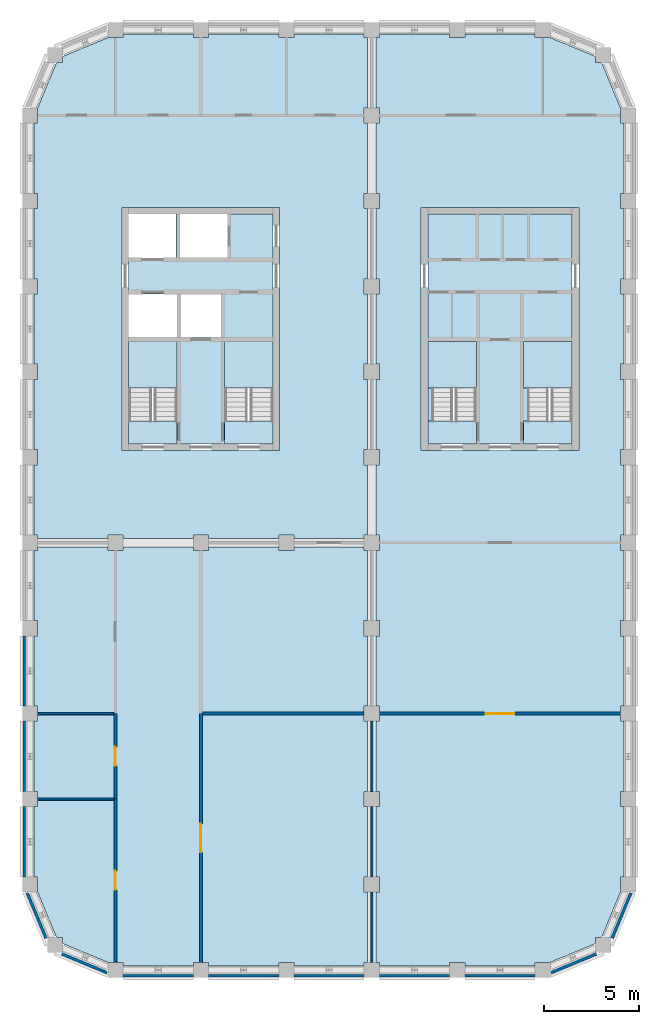
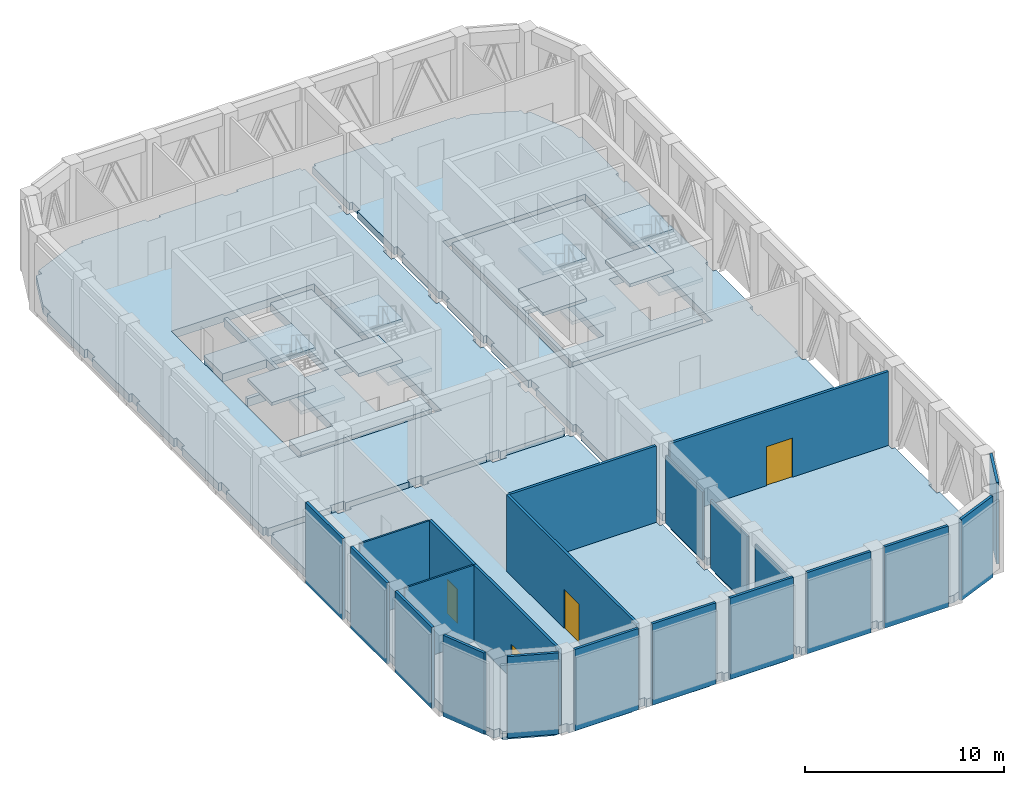
# One storey, part 2 of 7: 22 walls, 17 slabs, 4 doors, 4 openings, 4 elements without a shape of their own.
"""IFC4 building model written with IfcOpenShell, lengths in metres."""

from ifc_helpers import new_model, si_unit, direction, frame, frame_2d, origin, place, context, subcontext, project, spatial, polyline, rectangle, outline, extrude, material, layer, layer_set, type_object, element, fill, aggregate, save


model = new_model("IFC4")

# Units and contexts
model_context = context("Model", 3, precision=1e-05, world=origin(), true_north=direction((0.0, 1.0)))
body_context = subcontext(model_context, "Body", "Model", "MODEL_VIEW")
ifc_project = project(units=[si_unit("LENGTHUNIT", "METRE"), si_unit("AREAUNIT", "SQUARE_METRE"), si_unit("VOLUMEUNIT", "CUBIC_METRE"), si_unit("PLANEANGLEUNIT", "RADIAN"), si_unit("MASSUNIT", "GRAM", prefix="KILO")], contexts=[model_context])

# Site, building, storey
site_placement = place(None, origin())
site = spatial("IfcSite", under=ifc_project, at=site_placement, CompositionType="ELEMENT")
building_placement = place(site_placement, origin())
building = spatial("IfcBuilding", under=site, at=building_placement, Name="Girih Gate Residences", CompositionType="ELEMENT")
storey_placement = place(building_placement, frame((0.0, 0.0, 201.89990234375)))
storey = spatial("IfcBuildingStorey", under=building, at=storey_placement, Name="L56", CompositionType="ELEMENT", Elevation=201.89990234375)

# Slabs
ifc_material_1 = material(Name="Concrete C40/50", Category="concrete")
ifc_layer_1 = layer(ifc_material_1, 0.5)
ifc_layer_set_1 = layer_set([ifc_layer_1], Name="Core floor slab 500")
slab_type_1 = type_object("IfcSlabType", Name="Core floor slab 500", PredefinedType="FLOOR", material=ifc_layer_set_1)
slab_1_placement = place(storey_placement, frame((0.0, 0.0, -0.5)))
element("IfcSlab", 1, at=slab_1_placement, inside=storey, type_object=slab_type_1, Name="L56 W core floor", PredefinedType="FLOOR", context=body_context, shape_type="SweptSolid", body=[
    extrude(outline(polyline([(12.800048828125, 27.699951171875), (5.199951171875, 27.699951171875), (5.199951171875, 28.900634765625), (7.75, 28.900634765625), (7.75, 33.10009765625), (5.199951171875, 33.10009765625), (5.199951171875, 33.300048828125), (7.75, 33.300048828125), (7.75, 35.60009765625), (5.199951171875, 35.60009765625), (5.199951171875, 37.5), (7.699951171875, 37.5), (7.699951171875, 39.800048828125), (7.89990234375, 39.800048828125), (7.89990234375, 37.5), (10.39990234375, 37.5), (10.39990234375, 39.800048828125), (12.800048828125, 39.800048828125), (12.800048828125, 33.10009765625), (10.25, 33.10009765625), (10.25, 28.900634765625), (12.800048828125, 28.900634765625), (12.800048828125, 27.699951171875)]), holes=[polyline([(7.949951171875, 33.300048828125), (10.050048828125, 33.300048828125), (10.050048828125, 35.60009765625), (7.949951171875, 35.60009765625), (7.949951171875, 33.300048828125)])]), origin(), (0.0, 0.0, 1.0), 0.5),
])
slab_2_placement = place(storey_placement, frame((0.0, 0.0, -0.5)))
element("IfcSlab", 2, at=slab_2_placement, inside=storey, type_object=slab_type_1, Name="L56 C core floor", PredefinedType="FLOOR", context=body_context, shape_type="SweptSolid", body=[
    extrude(outline(polyline([(28.550048828125, 27.699951171875), (20.949951171875, 27.699951171875), (20.949951171875, 39.800048828125), (28.550048828125, 39.800048828125), (28.550048828125, 33.10009765625), (26.199951171875, 33.10009765625), (26.199951171875, 28.900634765625), (28.550048828125, 28.900634765625), (28.550048828125, 27.699951171875)]), holes=[polyline([(23.5, 28.900634765625), (23.5, 33.10009765625), (21.14990234375, 33.10009765625), (21.14990234375, 28.900634765625), (23.5, 28.900634765625)])]), origin(), (0.0, 0.0, 1.0), 0.5),
])
ifc_layer_2 = layer(ifc_material_1, 0.449951171875)
ifc_layer_set_2 = layer_set([ifc_layer_2], Name="Floor slab PT 450 Concrete C40/50")
slab_type_2 = type_object("IfcSlabType", Name="Floor slab PT 450 Concrete C40/50", PredefinedType="FLOOR", material=ifc_layer_set_2)
slab_3_placement = place(storey_placement, frame((0.0, 0.0, -0.449951171875)))
element("IfcSlab", 3, at=slab_3_placement, inside=storey, type_object=slab_type_2, Name="Floor slab L56 1", PredefinedType="FLOOR", context=body_context, shape_type="SweptSolid", body=[
    extrude(outline(polyline([(22.89990234375, 0.22509765625), (26.60009765625, 0.22509765625), (26.60009765625, 0.39990234375), (27.377685546875, 0.39990234375), (29.781982421875, 1.395751953125), (29.781982421875, 1.718017578125), (30.104248046875, 1.718017578125), (31.10009765625, 4.122314453125), (31.10009765625, 4.89990234375), (31.27490234375, 4.89990234375), (31.27490234375, 8.60009765625), (31.10009765625, 8.60009765625), (31.10009765625, 9.39990234375), (31.27490234375, 9.39990234375), (31.27490234375, 13.10009765625), (31.10009765625, 13.10009765625), (31.10009765625, 13.89990234375), (31.27490234375, 13.89990234375), (31.27490234375, 17.60009765625), (31.10009765625, 17.60009765625), (31.10009765625, 18.39990234375), (31.27490234375, 18.39990234375), (31.27490234375, 22.10009765625), (31.10009765625, 22.10009765625), (31.10009765625, 22.89990234375), (31.27490234375, 22.89990234375), (31.27490234375, 26.60009765625), (31.10009765625, 26.60009765625), (31.10009765625, 27.39990234375), (31.27490234375, 27.39990234375), (31.27490234375, 31.10009765625), (31.10009765625, 31.10009765625), (31.10009765625, 31.89990234375), (31.27490234375, 31.89990234375), (31.27490234375, 35.60009765625), (31.10009765625, 35.60009765625), (31.10009765625, 36.39990234375), (31.27490234375, 36.39990234375), (31.27490234375, 40.10009765625), (31.10009765625, 40.10009765625), (31.10009765625, 40.89990234375), (31.27490234375, 40.89990234375), (31.27490234375, 44.60009765625), (31.10009765625, 44.60009765625), (31.10009765625, 45.377685546875), (30.104248046875, 47.781982421875), (29.781982421875, 47.781982421875), (29.781982421875, 48.104248046875), (27.377685546875, 49.10009765625), (26.60009765625, 49.10009765625), (26.60009765625, 49.27490234375), (22.89990234375, 49.27490234375), (22.89990234375, 49.10009765625), (22.10009765625, 49.10009765625), (22.10009765625, 49.27490234375), (18.39990234375, 49.27490234375), (18.39990234375, 49.10009765625), (18.22509765625, 49.10009765625), (18.22509765625, 45.39990234375), (18.39990234375, 45.39990234375), (18.39990234375, 44.60009765625), (18.22509765625, 44.60009765625), (18.22509765625, 40.89990234375), (18.39990234375, 40.89990234375), (18.39990234375, 40.10009765625), (18.22509765625, 40.10009765625), (18.22509765625, 36.39990234375), (18.39990234375, 36.39990234375), (18.39990234375, 35.60009765625), (18.22509765625, 35.60009765625), (18.22509765625, 31.89990234375), (18.39990234375, 31.89990234375), (18.39990234375, 31.10009765625), (18.22509765625, 31.10009765625), (18.22509765625, 27.39990234375), (18.39990234375, 27.39990234375), (18.39990234375, 26.60009765625), (18.22509765625, 26.60009765625), (18.22509765625, 22.89990234375), (18.39990234375, 22.89990234375), (18.39990234375, 22.10009765625), (18.22509765625, 22.10009765625), (18.22509765625, 18.39990234375), (18.39990234375, 18.39990234375), (18.39990234375, 17.60009765625), (18.22509765625, 17.60009765625), (18.22509765625, 13.89990234375), (18.39990234375, 13.89990234375), (18.39990234375, 13.10009765625), (18.22509765625, 13.10009765625), (18.22509765625, 9.39990234375), (18.39990234375, 9.39990234375), (18.39990234375, 8.60009765625), (18.22509765625, 8.60009765625), (18.22509765625, 4.89990234375), (18.39990234375, 4.89990234375), (18.39990234375, 4.10009765625), (18.22509765625, 4.10009765625), (18.22509765625, 0.39990234375), (18.39990234375, 0.39990234375), (18.39990234375, 0.22509765625), (22.10009765625, 0.22509765625), (22.10009765625, 0.39990234375), (22.89990234375, 0.39990234375), (22.89990234375, 0.22509765625)]), holes=[polyline([(28.89990234375, 40.14990234375), (28.89990234375, 27.35009765625), (20.60009765625, 27.35009765625), (20.60009765625, 40.14990234375), (28.89990234375, 40.14990234375)])]), origin(), (0.0, 0.0, 1.0), 0.449951171875),
])
ifc_layer_3 = layer(ifc_material_1, 0.5)
ifc_layer_set_3 = layer_set([ifc_layer_3], Name="Floor slab PT 500 Concrete C40/50")
slab_type_3 = type_object("IfcSlabType", Name="Floor slab PT 500 Concrete C40/50", PredefinedType="FLOOR", material=ifc_layer_set_3)
slab_4_placement = place(storey_placement, frame((0.0, 0.0, -0.5)))
element("IfcSlab", 4, at=slab_4_placement, inside=storey, type_object=slab_type_3, Name="Floor slab L56 0", PredefinedType="FLOOR", context=body_context, shape_type="SweptSolid", body=[
    extrude(outline(polyline([(13.89990234375, 0.22509765625), (17.60009765625, 0.22509765625), (17.60009765625, 0.39990234375), (17.77490234375, 0.39990234375), (17.77490234375, 4.10009765625), (17.60009765625, 4.10009765625), (17.60009765625, 4.89990234375), (17.77490234375, 4.89990234375), (17.77490234375, 8.60009765625), (17.60009765625, 8.60009765625), (17.60009765625, 9.39990234375), (17.77490234375, 9.39990234375), (17.77490234375, 13.10009765625), (17.60009765625, 13.10009765625), (17.60009765625, 13.89990234375), (17.77490234375, 13.89990234375), (17.77490234375, 17.60009765625), (17.60009765625, 17.60009765625), (17.60009765625, 18.39990234375), (17.77490234375, 18.39990234375), (17.77490234375, 22.10009765625), (17.60009765625, 22.10009765625), (17.60009765625, 22.27490234375), (13.89990234375, 22.27490234375), (13.89990234375, 22.10009765625), (13.10009765625, 22.10009765625), (13.10009765625, 22.27490234375), (9.39990234375, 22.27490234375), (9.39990234375, 22.10009765625), (8.60009765625, 22.10009765625), (8.60009765625, 22.27490234375), (4.89990234375, 22.27490234375), (4.89990234375, 22.10009765625), (4.10009765625, 22.10009765625), (4.10009765625, 22.27490234375), (0.39990234375, 22.27490234375), (0.39990234375, 22.10009765625), (0.22509765625, 22.10009765625), (0.22509765625, 18.39990234375), (0.39990234375, 18.39990234375), (0.39990234375, 17.60009765625), (0.22509765625, 17.60009765625), (0.22509765625, 13.89990234375), (0.39990234375, 13.89990234375), (0.39990234375, 13.10009765625), (0.22509765625, 13.10009765625), (0.22509765625, 9.39990234375), (0.39990234375, 9.39990234375), (0.39990234375, 8.60009765625), (0.22509765625, 8.60009765625), (0.22509765625, 4.89990234375), (0.39990234375, 4.89990234375), (0.39990234375, 4.122314453125), (1.395751953125, 1.718017578125), (1.718017578125, 1.718017578125), (1.718017578125, 1.395751953125), (4.122314453125, 0.39990234375), (4.89990234375, 0.39990234375), (4.89990234375, 0.22509765625), (8.60009765625, 0.22509765625), (8.60009765625, 0.39990234375), (9.39990234375, 0.39990234375), (9.39990234375, 0.22509765625), (13.10009765625, 0.22509765625), (13.10009765625, 0.39990234375), (13.89990234375, 0.39990234375), (13.89990234375, 0.22509765625)])), origin(), (0.0, 0.0, 1.0), 0.5),
])
slab_5_placement = place(storey_placement, frame((0.0, 0.0, -0.5)))
element("IfcSlab", 5, at=slab_5_placement, inside=storey, type_object=slab_type_3, Name="Floor slab L56 2", PredefinedType="FLOOR", context=body_context, shape_type="SweptSolid", body=[
    extrude(outline(polyline([(0.22509765625, 26.60009765625), (0.22509765625, 22.89990234375), (0.39990234375, 22.89990234375), (0.39990234375, 22.72509765625), (4.10009765625, 22.72509765625), (4.10009765625, 22.89990234375), (4.89990234375, 22.89990234375), (4.89990234375, 22.72509765625), (8.60009765625, 22.72509765625), (8.60009765625, 22.89990234375), (9.39990234375, 22.89990234375), (9.39990234375, 22.72509765625), (13.10009765625, 22.72509765625), (13.10009765625, 22.89990234375), (13.89990234375, 22.89990234375), (13.89990234375, 22.72509765625), (17.60009765625, 22.72509765625), (17.60009765625, 22.89990234375), (17.77490234375, 22.89990234375), (17.77490234375, 26.60009765625), (17.60009765625, 26.60009765625), (17.60009765625, 27.39990234375), (17.77490234375, 27.39990234375), (17.77490234375, 31.10009765625), (17.60009765625, 31.10009765625), (17.60009765625, 31.89990234375), (17.77490234375, 31.89990234375), (17.77490234375, 35.60009765625), (17.60009765625, 35.60009765625), (17.60009765625, 36.39990234375), (17.77490234375, 36.39990234375), (17.77490234375, 40.10009765625), (17.60009765625, 40.10009765625), (17.60009765625, 40.89990234375), (17.77490234375, 40.89990234375), (17.77490234375, 44.60009765625), (17.60009765625, 44.60009765625), (17.60009765625, 45.39990234375), (17.77490234375, 45.39990234375), (17.77490234375, 49.10009765625), (17.60009765625, 49.10009765625), (17.60009765625, 49.27490234375), (13.89990234375, 49.27490234375), (13.89990234375, 49.10009765625), (13.10009765625, 49.10009765625), (13.10009765625, 49.27490234375), (9.39990234375, 49.27490234375), (9.39990234375, 49.10009765625), (8.60009765625, 49.10009765625), (8.60009765625, 49.27490234375), (4.89990234375, 49.27490234375), (4.89990234375, 49.10009765625), (4.122314453125, 49.10009765625), (1.718017578125, 48.104248046875), (1.718017578125, 47.781982421875), (1.395751953125, 47.781982421875), (0.39990234375, 45.377685546875), (0.39990234375, 44.60009765625), (0.22509765625, 44.60009765625), (0.22509765625, 40.89990234375), (0.39990234375, 40.89990234375), (0.39990234375, 40.10009765625), (0.22509765625, 40.10009765625), (0.22509765625, 36.39990234375), (0.39990234375, 36.39990234375), (0.39990234375, 35.60009765625), (0.22509765625, 35.60009765625), (0.22509765625, 31.89990234375), (0.39990234375, 31.89990234375), (0.39990234375, 31.10009765625), (0.22509765625, 31.10009765625), (0.22509765625, 27.39990234375), (0.39990234375, 27.39990234375), (0.39990234375, 26.60009765625), (0.22509765625, 26.60009765625)]), holes=[polyline([(13.14990234375, 40.14990234375), (13.14990234375, 27.35009765625), (4.85009765625, 27.35009765625), (4.85009765625, 40.14990234375), (13.14990234375, 40.14990234375)])]), origin(), (0.0, 0.0, 1.0), 0.5),
])

# Stair, slabs
stair_type_1 = type_object("IfcStairType", Name="Exit stair", PredefinedType="HALF_TURN_STAIR", material=ifc_material_1)
stair_1_placement = place(storey_placement, origin())
stair_1 = element("IfcStair", 6, at=stair_1_placement, inside=storey, type_object=stair_type_1, Name="L56 Exit Stair ST-W1", PredefinedType="HALF_TURN_STAIR")
ifc_layer_4 = layer(ifc_material_1, 0.199951171875)
ifc_layer_set_4 = layer_set([ifc_layer_4], Name="Stair landing 200")
slab_type_4 = type_object("IfcSlabType", Name="Stair landing 200", PredefinedType="LANDING", material=ifc_layer_set_4)
slab_6_placement = place(storey_placement, frame((0.0, 0.0, 1.048828125)))
slab_6 = element("IfcSlab", 7, at=slab_6_placement, type_object=slab_type_4, Name="ST-W1 landing 1", PredefinedType="LANDING", context=body_context, shape_type="SweptSolid", body=[
    extrude(outline(polyline([(7.75, 30.64990234375), (7.75, 33.10009765625), (5.199951171875, 33.10009765625), (5.199951171875, 30.64990234375), (7.75, 30.64990234375)])), origin(), (0.0, 0.0, 1.0), 0.199951171875),
])
slab_7_placement = place(storey_placement, frame((0.0, 0.0, 2.297607421875)))
slab_7 = element("IfcSlab", 8, at=slab_7_placement, type_object=slab_type_4, Name="ST-W1 landing 2", PredefinedType="LANDING", context=body_context, shape_type="SweptSolid", body=[
    extrude(outline(polyline([(7.75, 27.699951171875), (7.75, 28.89990234375), (5.199951171875, 28.89990234375), (5.199951171875, 27.699951171875), (7.75, 27.699951171875)])), origin(), (0.0, 0.0, 1.0), 0.199951171875),
])
slab_8_placement = place(storey_placement, frame((0.0, 0.0, 3.54638671875)))
slab_8 = element("IfcSlab", 9, at=slab_8_placement, type_object=slab_type_4, Name="ST-W1 landing 3", PredefinedType="LANDING", context=body_context, shape_type="SweptSolid", body=[
    extrude(outline(polyline([(7.75, 30.64990234375), (7.75, 33.10009765625), (5.199951171875, 33.10009765625), (5.199951171875, 30.64990234375), (7.75, 30.64990234375)])), origin(), (0.0, 0.0, 1.0), 0.199951171875),
])
aggregate(stair_1, [slab_6, slab_7, slab_8])

stair_2_placement = place(storey_placement, origin())
stair_2 = element("IfcStair", 10, at=stair_2_placement, inside=storey, type_object=stair_type_1, Name="L56 Exit Stair ST-W2", PredefinedType="HALF_TURN_STAIR")
slab_9_placement = place(storey_placement, frame((0.0, 0.0, 1.048828125)))
slab_9 = element("IfcSlab", 11, at=slab_9_placement, type_object=slab_type_4, Name="ST-W2 landing 1", PredefinedType="LANDING", context=body_context, shape_type="SweptSolid", body=[
    extrude(outline(polyline([(12.800048828125, 30.64990234375), (12.800048828125, 33.10009765625), (10.25, 33.10009765625), (10.25, 30.64990234375), (12.800048828125, 30.64990234375)])), origin(), (0.0, 0.0, 1.0), 0.199951171875),
])
slab_10_placement = place(storey_placement, frame((0.0, 0.0, 2.297607421875)))
slab_10 = element("IfcSlab", 12, at=slab_10_placement, type_object=slab_type_4, Name="ST-W2 landing 2", PredefinedType="LANDING", context=body_context, shape_type="SweptSolid", body=[
    extrude(outline(polyline([(12.800048828125, 27.699951171875), (12.800048828125, 28.89990234375), (10.25, 28.89990234375), (10.25, 27.699951171875), (12.800048828125, 27.699951171875)])), origin(), (0.0, 0.0, 1.0), 0.199951171875),
])
slab_11_placement = place(storey_placement, frame((0.0, 0.0, 3.54638671875)))
slab_11 = element("IfcSlab", 13, at=slab_11_placement, type_object=slab_type_4, Name="ST-W2 landing 3", PredefinedType="LANDING", context=body_context, shape_type="SweptSolid", body=[
    extrude(outline(polyline([(12.800048828125, 30.64990234375), (12.800048828125, 33.10009765625), (10.25, 33.10009765625), (10.25, 30.64990234375), (12.800048828125, 30.64990234375)])), origin(), (0.0, 0.0, 1.0), 0.199951171875),
])
aggregate(stair_2, [slab_9, slab_10, slab_11])

stair_type_2 = type_object("IfcStairType", Name="Exit stair C core", PredefinedType="HALF_TURN_STAIR", material=ifc_material_1)
stair_3_placement = place(storey_placement, origin())
stair_3 = element("IfcStair", 14, at=stair_3_placement, inside=storey, type_object=stair_type_2, Name="L56 Exit Stair ST-C1", PredefinedType="HALF_TURN_STAIR")
slab_12_placement = place(storey_placement, frame((0.0, 0.0, 1.048828125)))
slab_12 = element("IfcSlab", 15, at=slab_12_placement, type_object=slab_type_4, Name="ST-C1 landing 1", PredefinedType="LANDING", context=body_context, shape_type="SweptSolid", body=[
    extrude(outline(polyline([(23.5, 30.64990234375), (23.5, 33.10009765625), (20.949951171875, 33.10009765625), (20.949951171875, 30.64990234375), (23.5, 30.64990234375)])), origin(), (0.0, 0.0, 1.0), 0.199951171875),
])
slab_13_placement = place(storey_placement, frame((0.0, 0.0, 2.297607421875)))
slab_13 = element("IfcSlab", 16, at=slab_13_placement, type_object=slab_type_4, Name="ST-C1 landing 2", PredefinedType="LANDING", context=body_context, shape_type="SweptSolid", body=[
    extrude(outline(polyline([(23.5, 27.699951171875), (23.5, 28.89990234375), (20.949951171875, 28.89990234375), (20.949951171875, 27.699951171875), (23.5, 27.699951171875)])), origin(), (0.0, 0.0, 1.0), 0.199951171875),
])
slab_14_placement = place(storey_placement, frame((0.0, 0.0, 3.54638671875)))
slab_14 = element("IfcSlab", 17, at=slab_14_placement, type_object=slab_type_4, Name="ST-C1 landing 3", PredefinedType="LANDING", context=body_context, shape_type="SweptSolid", body=[
    extrude(outline(polyline([(23.5, 30.64990234375), (23.5, 33.10009765625), (20.949951171875, 33.10009765625), (20.949951171875, 30.64990234375), (23.5, 30.64990234375)])), origin(), (0.0, 0.0, 1.0), 0.199951171875),
])
aggregate(stair_3, [slab_12, slab_13, slab_14])

stair_4_placement = place(storey_placement, origin())
stair_4 = element("IfcStair", 18, at=stair_4_placement, inside=storey, type_object=stair_type_2, Name="L56 Exit Stair ST-C2", PredefinedType="HALF_TURN_STAIR")
slab_15_placement = place(storey_placement, frame((0.0, 0.0, 1.048828125)))
slab_15 = element("IfcSlab", 19, at=slab_15_placement, type_object=slab_type_4, Name="ST-C2 landing 1", PredefinedType="LANDING", context=body_context, shape_type="SweptSolid", body=[
    extrude(outline(polyline([(28.550048828125, 30.64990234375), (28.550048828125, 33.10009765625), (26.0, 33.10009765625), (26.0, 30.64990234375), (28.550048828125, 30.64990234375)])), origin(), (0.0, 0.0, 1.0), 0.199951171875),
])
slab_16_placement = place(storey_placement, frame((0.0, 0.0, 2.297607421875)))
slab_16 = element("IfcSlab", 20, at=slab_16_placement, type_object=slab_type_4, Name="ST-C2 landing 2", PredefinedType="LANDING", context=body_context, shape_type="SweptSolid", body=[
    extrude(outline(polyline([(28.550048828125, 27.699951171875), (28.550048828125, 28.89990234375), (26.0, 28.89990234375), (26.0, 27.699951171875), (28.550048828125, 27.699951171875)])), origin(), (0.0, 0.0, 1.0), 0.199951171875),
])
slab_17_placement = place(storey_placement, frame((0.0, 0.0, 3.54638671875)))
slab_17 = element("IfcSlab", 21, at=slab_17_placement, type_object=slab_type_4, Name="ST-C2 landing 3", PredefinedType="LANDING", context=body_context, shape_type="SweptSolid", body=[
    extrude(outline(polyline([(28.550048828125, 30.64990234375), (28.550048828125, 33.10009765625), (26.0, 33.10009765625), (26.0, 30.64990234375), (28.550048828125, 30.64990234375)])), origin(), (0.0, 0.0, 1.0), 0.199951171875),
])
aggregate(stair_4, [slab_15, slab_16, slab_17])

# Wall, opening, door
ifc_material_2 = material(Name="Gypsum board on steel studs", Category="steel")
ifc_layer_5 = layer(ifc_material_2, 0.14990234375)
ifc_layer_set_5 = layer_set([ifc_layer_5], Name="Compartment wall 150 mm")
wall_type_1 = type_object("IfcWallType", Name="Compartment wall 150 mm", PredefinedType="PARTITIONING", material=ifc_layer_set_5)
wall_1_placement = place(storey_placement, frame((31.10009765625, 13.5, 0.0), z_axis=(0.0, 0.0, 1.0), x_axis=(-1.0, 0.0, 0.0)))
wall_1 = element("IfcWall", 22, at=wall_1_placement, inside=storey, type_object=wall_type_1, Name="L56 partition", PredefinedType="PARTITIONING", context=body_context, shape_type="SweptSolid", body=[
    extrude(rectangle(XDim=12.7001953125, YDim=0.14990234375, at=frame_2d((6.35009765625, 0.0))), origin(), (0.0, 0.0, 1.0), 4.545166015625),
])
opening_1_placement = place(wall_1_placement, frame((5.60009765625, 0.0, 0.0)))
opening_1 = element("IfcOpeningElement", 23, at=opening_1_placement, cuts=wall_1, Name="Opening D-L56-S-004", PredefinedType="OPENING", context=body_context, shape_type="SweptSolid", body=[
    extrude(rectangle(XDim=1.5, YDim=2.39990234375, at=frame_2d((0.75, 1.199951171875))), frame((0.0, 0.0849609375, 0.0), z_axis=(0.0, -1.0, 0.0), x_axis=(1.0, 0.0, 0.0)), (0.0, 0.0, 1.0), 0.169921875),
])
ifc_material_3 = material(Name="Painted steel, fire-resisting", Category="steel")
door_type_1 = type_object("IfcDoorType", Name="Plant room door pair 1500x2400 FD60", OperationType="DOUBLE_DOOR_SINGLE_SWING", PredefinedType="DOOR", material=ifc_material_3)
door_1_placement = place(opening_1_placement, origin())
door_1 = element("IfcDoor", 24, at=door_1_placement, inside=storey, type_object=door_type_1, Name="Door L56-004", OperationType="DOUBLE_DOOR_SINGLE_SWING", OverallHeight=2.39990234375, OverallWidth=1.5, PredefinedType="DOOR", context=body_context, shape_type="SweptSolid", body=[
    extrude(rectangle(XDim=1.5, YDim=2.39990234375, at=frame_2d((0.75, 1.199951171875))), frame((0.0, 0.02490234375, 0.0), z_axis=(0.0, -1.0, 0.0), x_axis=(1.0, 0.0, 0.0)), (0.0, 0.0, 1.0), 0.050048828125),
])
fill(opening_1, door_1)

# Wall
wall_2_placement = place(storey_placement, frame((9.074951171875, 13.5, 0.0), z_axis=(0.0, 0.0, 1.0), x_axis=(1.0, 0.0, 0.0)))
element("IfcWall", 25, at=wall_2_placement, inside=storey, type_object=wall_type_1, Name="L56 partition", PredefinedType="PARTITIONING", context=body_context, shape_type="SweptSolid", body=[
    extrude(rectangle(XDim=8.525146484375, YDim=0.14990234375, at=frame_2d((4.2626953125, 0.0))), origin(), (0.0, 0.0, 1.0), 4.695068359375),
])

# Wall, opening, door
wall_3_placement = place(storey_placement, frame((9.0, 13.5, 0.0), z_axis=(0.0, 0.0, 1.0), x_axis=(0.0, -1.0, 0.0)))
wall_3 = element("IfcWall", 26, at=wall_3_placement, inside=storey, type_object=wall_type_1, Name="L56 partition", PredefinedType="PARTITIONING", context=body_context, shape_type="SweptSolid", body=[
    extrude(rectangle(XDim=13.10009765625, YDim=0.14990234375, at=frame_2d((6.550048828125, 0.0))), origin(), (0.0, 0.0, 1.0), 4.695068359375),
])
opening_2_placement = place(wall_3_placement, frame((5.800048828125, 0.0, 0.0)))
opening_2 = element("IfcOpeningElement", 27, at=opening_2_placement, cuts=wall_3, Name="Opening D-L56-S-010", PredefinedType="OPENING", context=body_context, shape_type="SweptSolid", body=[
    extrude(rectangle(XDim=1.5, YDim=2.39990234375, at=frame_2d((0.75, 1.199951171875))), frame((0.0, 0.0849609375, 0.0), z_axis=(0.0, -1.0, 0.0), x_axis=(1.0, 0.0, 0.0)), (0.0, 0.0, 1.0), 0.169921875),
])
door_2_placement = place(opening_2_placement, origin())
door_2 = element("IfcDoor", 28, at=door_2_placement, inside=storey, type_object=door_type_1, Name="Door L56-010", OperationType="DOUBLE_DOOR_SINGLE_SWING", OverallHeight=2.39990234375, OverallWidth=1.5, PredefinedType="DOOR", context=body_context, shape_type="SweptSolid", body=[
    extrude(rectangle(XDim=1.5, YDim=2.39990234375, at=frame_2d((0.75, 1.199951171875))), frame((0.0, 0.02490234375, 0.0), z_axis=(0.0, -1.0, 0.0), x_axis=(1.0, 0.0, 0.0)), (0.0, 0.0, 1.0), 0.050048828125),
])
fill(opening_2, door_2)

wall_4_placement = place(storey_placement, frame((4.5, 0.432861328125, 0.0), z_axis=(0.0, 0.0, 1.0), x_axis=(0.0, 1.0, 0.0)))
wall_4 = element("IfcWall", 29, at=wall_4_placement, inside=storey, type_object=wall_type_1, Name="L56 partition", PredefinedType="PARTITIONING", context=body_context, shape_type="SweptSolid", body=[
    extrude(rectangle(XDim=8.567138671875, YDim=0.14990234375, at=frame_2d((4.28369140625, 0.0))), origin(), (0.0, 0.0, 1.0), 4.695068359375),
])
opening_3_placement = place(wall_4_placement, frame((3.783447265625, 0.0, 0.0)))
opening_3 = element("IfcOpeningElement", 30, at=opening_3_placement, cuts=wall_4, Name="Opening D-L56-S-011", PredefinedType="OPENING", context=body_context, shape_type="SweptSolid", body=[
    extrude(rectangle(XDim=1.0, YDim=2.10009765625, at=frame_2d((0.5, 1.050048828125))), frame((0.0, 0.0849609375, 0.0), z_axis=(0.0, -1.0, 0.0), x_axis=(1.0, 0.0, 0.0)), (0.0, 0.0, 1.0), 0.169921875),
])
door_type_2 = type_object("IfcDoorType", Name="Plant room door 1000x2100 FD60", OperationType="SINGLE_SWING_LEFT", PredefinedType="DOOR", material=ifc_material_3)
door_3_placement = place(opening_3_placement, origin())
door_3 = element("IfcDoor", 31, at=door_3_placement, inside=storey, type_object=door_type_2, Name="Door L56-011", OperationType="SINGLE_SWING_RIGHT", OverallHeight=2.10009765625, OverallWidth=1.0, PredefinedType="DOOR", context=body_context, shape_type="SweptSolid", body=[
    extrude(rectangle(XDim=1.0, YDim=2.10009765625, at=frame_2d((0.5, 1.050048828125))), frame((0.0, 0.02490234375, 0.0), z_axis=(0.0, -1.0, 0.0), x_axis=(1.0, 0.0, 0.0)), (0.0, 0.0, 1.0), 0.050048828125),
])
fill(opening_3, door_3)

wall_5_placement = place(storey_placement, frame((4.5, 9.0, 0.0), z_axis=(0.0, 0.0, 1.0), x_axis=(0.0, 1.0, 0.0)))
wall_5 = element("IfcWall", 32, at=wall_5_placement, inside=storey, type_object=wall_type_1, Name="L56 partition", PredefinedType="PARTITIONING", context=body_context, shape_type="SweptSolid", body=[
    extrude(rectangle(XDim=4.5, YDim=0.14990234375, at=frame_2d((2.25, 0.0))), origin(), (0.0, 0.0, 1.0), 4.695068359375),
])
opening_4_placement = place(wall_5_placement, frame((1.75, 0.0, 0.0)))
opening_4 = element("IfcOpeningElement", 33, at=opening_4_placement, cuts=wall_5, Name="Opening D-L56-S-012", PredefinedType="OPENING", context=body_context, shape_type="SweptSolid", body=[
    extrude(rectangle(XDim=1.0, YDim=2.10009765625, at=frame_2d((0.5, 1.050048828125))), frame((0.0, 0.0849609375, 0.0), z_axis=(0.0, -1.0, 0.0), x_axis=(1.0, 0.0, 0.0)), (0.0, 0.0, 1.0), 0.169921875),
])
door_4_placement = place(opening_4_placement, origin())
door_4 = element("IfcDoor", 34, at=door_4_placement, inside=storey, type_object=door_type_2, Name="Door L56-012", OperationType="SINGLE_SWING_RIGHT", OverallHeight=2.10009765625, OverallWidth=1.0, PredefinedType="DOOR", context=body_context, shape_type="SweptSolid", body=[
    extrude(rectangle(XDim=1.0, YDim=2.10009765625, at=frame_2d((0.5, 1.050048828125))), frame((0.0, 0.02490234375, 0.0), z_axis=(0.0, -1.0, 0.0), x_axis=(1.0, 0.0, 0.0)), (0.0, 0.0, 1.0), 0.050048828125),
])
fill(opening_4, door_4)

# Walls
ifc_layer_6 = layer(ifc_material_2, 0.10009765625)
ifc_layer_set_6 = layer_set([ifc_layer_6], Name="Partition 100 mm")
wall_type_2 = type_object("IfcWallType", Name="Partition 100 mm", PredefinedType="PARTITIONING", material=ifc_layer_set_6)
for number, where, z_axis, x_axis, name in (
    (35, (18.0, 0.39990234375, 0.0), (0.0, 0.0, 1.0), (0.0, 1.0, 0.0), "L56 partition"),
    (36, (18.0, 4.89990234375, 0.0), (0.0, 0.0, 1.0), (0.0, 1.0, 0.0), "L56 partition"),
    (37, (18.0, 9.39990234375, 0.0), (0.0, 0.0, 1.0), (0.0, 1.0, 0.0), "L56 partition"),
):
    element("IfcWall", number, at=place(storey_placement, frame(where, z_axis=z_axis, x_axis=x_axis)), inside=storey, type_object=wall_type_2, Name=name, PredefinedType="PARTITIONING", context=body_context, shape_type="SweptSolid", body=[
        extrude(rectangle(XDim=3.7001953125, YDim=0.10009765625, at=frame_2d((1.85009765625, 0.0))), origin(), (0.0, 0.0, 1.0), 4.175048828125),
    ])
for number, where, z_axis, x_axis, name in (
    (38, (0.39990234375, 9.0, 0.0), (0.0, 0.0, 1.0), (1.0, 0.0, 0.0), "L56 partition"),
    (39, (0.39990234375, 13.5, 0.0), (0.0, 0.0, 1.0), (1.0, 0.0, 0.0), "L56 partition"),
):
    element("IfcWall", number, at=place(storey_placement, frame(where, z_axis=z_axis, x_axis=x_axis)), inside=storey, type_object=wall_type_2, Name=name, PredefinedType="PARTITIONING", context=body_context, shape_type="SweptSolid", body=[
        extrude(rectangle(XDim=4.025146484375, YDim=0.10009765625, at=frame_2d((2.0126953125, 0.0))), origin(), (0.0, 0.0, 1.0), 4.695068359375),
    ])
ifc_material_4 = material(Name="Precast concrete C50/60", Category="concrete")
ifc_layer_7 = layer(ifc_material_4, 0.050048828125, Name="Outer leaf")
ifc_material_5 = material(Name="Rigid PIR insulation")
ifc_layer_8 = layer(ifc_material_5, 0.06005859375, Name="Insulation")
ifc_material_6 = material(Name="Precast concrete C40/50", Category="concrete")
ifc_layer_9 = layer(ifc_material_6, 0.0400390625, Name="Inner leaf")
ifc_layer_set_7 = layer_set([ifc_layer_7, ifc_layer_8, ifc_layer_9], Name="Precast concrete C50/60 external wall 150")
wall_type_3 = type_object("IfcWallType", Name="Precast concrete C50/60 external wall 150", PredefinedType="SOLIDWALL", material=ifc_layer_set_7)
for number, where, z_axis, x_axis, name in (
    (40, (29.8330078125, 0.8486328125, 0.0), (0.0, 0.0, 1.0), (-0.923885342263, -0.382669406082, 0.0), "External wall SE0270_0000.0"),
    (41, (31.647216796875, 4.0712890625, 0.0), (0.0, 0.0, 1.0), (-0.382669406082, -0.923885342263, 0.0), "External wall SE0302_0013.0"),
):
    element("IfcWall", number, at=place(storey_placement, frame(where, z_axis=z_axis, x_axis=x_axis)), inside=storey, type_object=wall_type_3, Name=name, PredefinedType="SOLIDWALL", context=body_context, shape_type="SweptSolid", body=[
        extrude(rectangle(XDim=2.602294921875, YDim=0.14990234375, at=frame_2d((1.30126953125, 0.0))), origin(), (0.0, 0.0, 1.0), 4.9951171875),
    ])
for number, where, z_axis, x_axis, name in (
    (42, (-0.300048828125, 13.89990234375, 0.0), (0.0, 0.0, 1.0), (0.0, 1.0, 0.0), "External wall W0000_0450.6"),
    (43, (-0.300048828125, 9.39990234375, 0.0), (0.0, 0.0, 1.0), (0.0, 1.0, 0.0), "External wall W0000_0450.7"),
    (44, (-0.300048828125, 4.89990234375, 0.0), (0.0, 0.0, 1.0), (0.0, 1.0, 0.0), "External wall W0000_0450.8"),
):
    element("IfcWall", number, at=place(storey_placement, frame(where, z_axis=z_axis, x_axis=x_axis)), inside=storey, type_object=wall_type_3, Name=name, PredefinedType="SOLIDWALL", context=body_context, shape_type="SweptSolid", body=[
        extrude(rectangle(XDim=3.7001953125, YDim=0.14990234375, at=frame_2d((1.85009765625, 0.0))), origin(), (0.0, 0.0, 1.0), 4.9951171875),
    ])
for number, where, z_axis, x_axis, name in (
    (45, (0.8486328125, 1.6669921875, 0.0), (0.0, 0.0, 1.0), (-0.382669406082, 0.923885342263, 0.0), "External wall SW0000_0045.0"),
    (46, (4.0712890625, -0.147216796875, 0.0), (0.0, 0.0, 1.0), (-0.923885342263, 0.382669406082, 0.0), "External wall SW0013_0013.0"),
):
    element("IfcWall", number, at=place(storey_placement, frame(where, z_axis=z_axis, x_axis=x_axis)), inside=storey, type_object=wall_type_3, Name=name, PredefinedType="SOLIDWALL", context=body_context, shape_type="SweptSolid", body=[
        extrude(rectangle(XDim=2.602294921875, YDim=0.14990234375, at=frame_2d((1.30126953125, 0.0))), origin(), (0.0, 0.0, 1.0), 4.9951171875),
    ])
for number, where, z_axis, x_axis, name in (
    (47, (8.60009765625, -0.300048828125, 0.0), (0.0, 0.0, 1.0), (-1.0, 0.0, 0.0), "External wall S0045_0000.0"),
    (48, (13.10009765625, -0.300048828125, 0.0), (0.0, 0.0, 1.0), (-1.0, 0.0, 0.0), "External wall S0045_0000.1"),
    (49, (17.60009765625, -0.300048828125, 0.0), (0.0, 0.0, 1.0), (-1.0, 0.0, 0.0), "External wall S0045_0000.2"),
    (50, (22.10009765625, -0.300048828125, 0.0), (0.0, 0.0, 1.0), (-1.0, 0.0, 0.0), "External wall S0045_0000.3"),
    (51, (26.60009765625, -0.300048828125, 0.0), (0.0, 0.0, 1.0), (-1.0, 0.0, 0.0), "External wall S0045_0000.4"),
):
    element("IfcWall", number, at=place(storey_placement, frame(where, z_axis=z_axis, x_axis=x_axis)), inside=storey, type_object=wall_type_3, Name=name, PredefinedType="SOLIDWALL", context=body_context, shape_type="SweptSolid", body=[
        extrude(rectangle(XDim=3.7001953125, YDim=0.14990234375, at=frame_2d((1.85009765625, 0.0))), origin(), (0.0, 0.0, 1.0), 4.9951171875),
    ])

save(model, "model.ifc")
